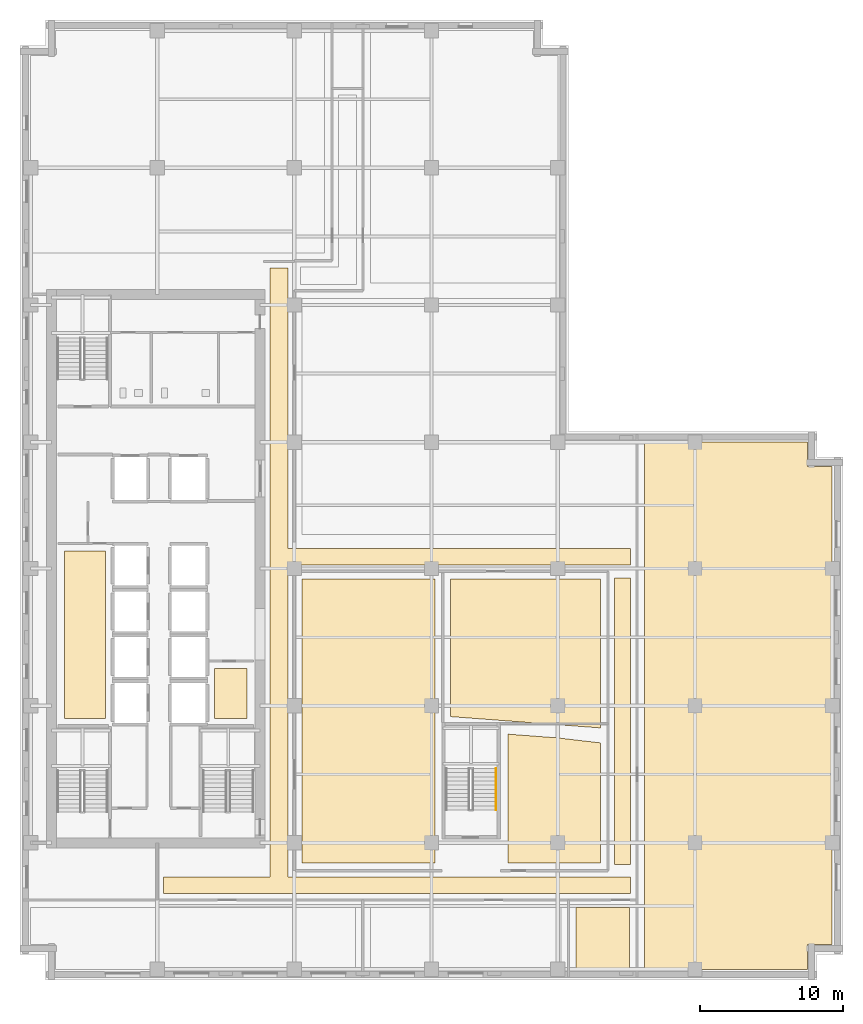
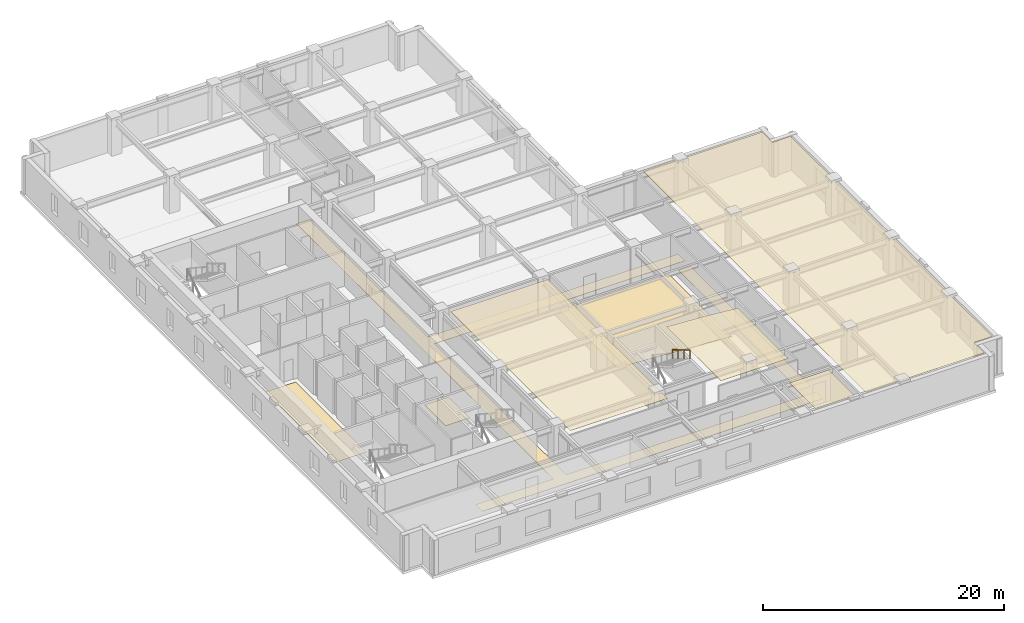
# One storey, part 10 of 13: 9 coverings, 1 railing.
"""IFC4 building model written with IfcOpenShell, lengths in metres."""

import ifcopenshell
import ifcopenshell.guid

model = None  # the IFC model being written
_history = None  # IfcOwnerHistory: only IFC2X3 demands one
_inside = {}  # id of a spatial element -> (the spatial element, [elements in it])
_under = {}  # id of a project, library or spatial element -> (it, [spatial elements below it])
_declared = {}  # id of a project -> (the project, [libraries it declares])
_typed = {}  # id of a type object -> (the type object, [elements of that type])
_made_of = {}  # id of a material, layer set ... -> (it, [elements and type objects made of it])


def new_model(schema):
    """Start an empty IFC model of exactly this schema.

    Asked for "IFC4X3", IfcOpenShell would pick the latest addendum, in which some entities
    have other attributes; the version numbers below select the first issue.
    IFC2X3 requires an IfcOwnerHistory on every rooted entity: one is made here for all.
    """
    global model, _history
    if schema == "IFC4X3":
        model = ifcopenshell.file(schema_version=(4, 3, 0, 0))
    else:
        model = ifcopenshell.file(schema=schema)
    _inside.clear()
    _under.clear()
    _declared.clear()
    _typed.clear()
    _made_of.clear()
    _history = None
    if model.schema == "IFC2X3":
        org = make("IfcOrganization", Name="unknown")
        user = make(
            "IfcPersonAndOrganization",
            ThePerson=make("IfcPerson", FamilyName="unknown"),
            TheOrganization=org,
        )
        app = make(
            "IfcApplication",
            ApplicationDeveloper=org,
            Version="unknown",
            ApplicationFullName="unknown",
            ApplicationIdentifier="unknown",
        )
        _history = make(
            "IfcOwnerHistory",
            OwningUser=user,
            OwningApplication=app,
            ChangeAction="ADDED",
            CreationDate=0,
        )
    return model


def make(cls, **values):
    """One entity of the class cls with the attributes given. An attribute that is None is left unset."""
    return model.create_entity(
        cls, **{name: value for name, value in values.items() if value is not None}
    )


def rooted(cls, **values):
    """An entity with a GlobalId (a new one), such as an element, a storey or a relation."""
    return make(cls, GlobalId=ifcopenshell.guid.new(), OwnerHistory=_history, **values)


def si_unit(unit_type, name, prefix=None):
    """IfcSIUnit, for example si_unit("LENGTHUNIT", "METRE", prefix="MILLI")."""
    return make("IfcSIUnit", UnitType=unit_type, Prefix=prefix, Name=name)


def assignment(units):
    """IfcUnitAssignment: the units of a project."""
    return None if units is None else make("IfcUnitAssignment", Units=units)


def point(xyz):
    """IfcCartesianPoint."""
    return None if xyz is None else make("IfcCartesianPoint", Coordinates=xyz)


def direction(xyz):
    """IfcDirection."""
    return None if xyz is None else make("IfcDirection", DirectionRatios=xyz)


def frame(location, z_axis=None, x_axis=None):
    """IfcAxis2Placement3D, a coordinate frame: its origin and axes. An axis left out is left unset."""
    return make(
        "IfcAxis2Placement3D",
        Location=point(location),
        Axis=direction(z_axis),
        RefDirection=direction(x_axis),
    )


def frame_2d(location, x_axis=None):
    """IfcAxis2Placement2D, a coordinate frame in the plane: its origin and x axis."""
    return make(
        "IfcAxis2Placement2D", Location=point(location), RefDirection=direction(x_axis)
    )


def origin():
    """The frame at (0, 0, 0) with its axes left unset."""
    return frame((0.0, 0.0, 0.0))


def origin_2d():
    """The frame at (0, 0) in the plane with its x axis left unset."""
    return frame_2d((0.0, 0.0))


def place(relative_to, where):
    """IfcLocalPlacement: puts the frame where relative to a parent placement (None: the world)."""
    return make(
        "IfcLocalPlacement", PlacementRelTo=relative_to, RelativePlacement=where
    )


def context(
    kind, dimensions, precision=None, world=None, true_north=None, identifier=None
):
    """IfcGeometricRepresentationContext, for example the 3D "Model" context."""
    return make(
        "IfcGeometricRepresentationContext",
        ContextIdentifier=identifier,
        ContextType=kind,
        CoordinateSpaceDimension=dimensions,
        Precision=precision,
        WorldCoordinateSystem=world,
        TrueNorth=true_north,
    )


def subcontext(parent, identifier, kind, view, scale=None):
    """IfcGeometricRepresentationSubContext, for example "Body" below "Model"."""
    return make(
        "IfcGeometricRepresentationSubContext",
        ContextIdentifier=identifier,
        ContextType=kind,
        ParentContext=parent,
        TargetScale=scale,
        TargetView=view,
    )


def project(units=None, contexts=None):
    """IfcProject with its units and contexts."""
    return rooted(
        "IfcProject",
        Name="project",
        RepresentationContexts=contexts,
        UnitsInContext=assignment(units),
    )


def spatial(cls, under=None, at=None, **own):
    """A site, building, storey or space (cls), placed at a placement, below another one or the project."""
    s = rooted(cls, ObjectPlacement=at, **own)
    if under is not None:
        _under.setdefault(under.id(), (under, []))[1].append(s)
    return s


def polyline(points):
    """IfcPolyline through the points."""
    return make("IfcPolyline", Points=[point(p) for p in points])


def profile(cls, at=None, kind="AREA", **sizes):
    """A parametric profile (cls). Its sizes go by their IFC names, for example OverallWidth=200.0."""
    return make(cls, ProfileType=kind, Position=at, **sizes)


def circle(**sizes):
    """IfcCircleProfileDef."""
    return profile("IfcCircleProfileDef", **sizes)


def outline(outer, holes=None, kind="AREA"):
    """IfcArbitraryClosedProfileDef: a profile drawn as a closed curve; with holes, ...WithVoids."""
    if holes is None:
        return make("IfcArbitraryClosedProfileDef", ProfileType=kind, OuterCurve=outer)
    return make(
        "IfcArbitraryProfileDefWithVoids",
        ProfileType=kind,
        OuterCurve=outer,
        InnerCurves=holes,
    )


def extrude(swept, where, along, depth):
    """IfcExtrudedAreaSolid: the profile swept, set in the frame where, extruded along a direction by depth."""
    return make(
        "IfcExtrudedAreaSolid",
        SweptArea=swept,
        Position=where,
        ExtrudedDirection=direction(along),
        Depth=depth,
    )


def shape(context_of_items, identifier, shape_type, items):
    """IfcShapeRepresentation: the items that make up one representation, for example the "Body"."""
    return make(
        "IfcShapeRepresentation",
        ContextOfItems=context_of_items,
        RepresentationIdentifier=identifier,
        RepresentationType=shape_type,
        Items=items,
    )


def material(Name=None, Category=None):
    """IfcMaterial."""
    return make("IfcMaterial", Name=Name, Category=Category)


def layer(
    of_material, thickness, ventilated=None, Name=None, Category=None, Priority=None
):
    """IfcMaterialLayer: one layer of a wall or slab, of a material (None: an air gap)."""
    return make(
        "IfcMaterialLayer",
        Material=of_material,
        LayerThickness=thickness,
        IsVentilated=ventilated,
        Name=Name,
        Category=Category,
        Priority=Priority,
    )


def layer_set(layers, Name=None):
    """IfcMaterialLayerSet."""
    return make("IfcMaterialLayerSet", MaterialLayers=layers, LayerSetName=Name)


def made_of(thing, what):
    """Note that an element or type object is made of a material, layer set ...; save() writes the relation."""
    if what is not None:
        _made_of.setdefault(what.id(), (what, []))[1].append(thing)
    return thing


def type_object(cls, material=None, **own):
    """A type object (cls), such as IfcWallType, which elements share."""
    return made_of(rooted(cls, **own), material)


def element(
    cls,
    number,
    at=None,
    inside=None,
    cuts=None,
    type_object=None,
    material=None,
    context=None,
    identifier="Body",
    shape_type=None,
    held_by="IfcProductDefinitionShape",
    body=None,
    shapes=None,
    **own,
):
    """One element of the class cls, such as IfcWall. Its Tag is "e" and its number.

    at: its placement. inside: the storey or other place that contains it. cuts: it is an
    opening in that element (IfcRelVoidsElement). A single representation is given by context,
    identifier, shape_type and body (its items); several are given by shapes. held_by: the class
    of the entity that holds the representations. save() writes the other relations.
    """
    e = rooted(cls, Tag="e%d" % number, ObjectPlacement=at, **own)
    if body is not None:
        shapes = [shape(context, identifier, shape_type, body)]
    if shapes is not None:
        e.Representation = make(held_by, Representations=shapes)
    if inside is not None:
        _inside.setdefault(inside.id(), (inside, []))[1].append(e)
    if cuts is not None:
        rooted(
            "IfcRelVoidsElement", RelatingBuildingElement=cuts, RelatedOpeningElement=e
        )
    if type_object is not None:
        _typed.setdefault(type_object.id(), (type_object, []))[1].append(e)
    return made_of(e, material)


def aggregate(whole, parts):
    """IfcRelAggregates: a whole, such as a stair, and the parts it consists of."""
    return rooted("IfcRelAggregates", RelatingObject=whole, RelatedObjects=parts)


def save(model, path):
    """Write the relations noted so far, then the file.

    IfcRelAggregates (storeys below a building ...), IfcRelContainedInSpatialStructure (elements
    in a storey), IfcRelDefinesByType, IfcRelAssociatesMaterial and IfcRelDeclares: one each for
    every whole, place, type object, material and project.
    """
    for whole, parts in _under.values():
        aggregate(whole, parts)
    for where, things in _inside.values():
        rooted(
            "IfcRelContainedInSpatialStructure",
            RelatedElements=things,
            RelatingStructure=where,
        )
    for kind, things in _typed.values():
        rooted("IfcRelDefinesByType", RelatedObjects=things, RelatingType=kind)
    for what, things in _made_of.values():
        rooted("IfcRelAssociatesMaterial", RelatedObjects=things, RelatingMaterial=what)
    for by, libraries in _declared.values():
        rooted("IfcRelDeclares", RelatingContext=by, RelatedDefinitions=libraries)
    model.write(path)


model = new_model("IFC4")

# Units and contexts
model_context = context("Model", 3, precision=1e-05, world=origin(), true_north=direction((0.0, 1.0)))
body_context = subcontext(model_context, "Body", "Model", "MODEL_VIEW")
ifc_project = project(units=[si_unit("LENGTHUNIT", "METRE"), si_unit("AREAUNIT", "SQUARE_METRE"), si_unit("VOLUMEUNIT", "CUBIC_METRE"), si_unit("PLANEANGLEUNIT", "RADIAN"), si_unit("MASSUNIT", "GRAM", prefix="KILO")], contexts=[model_context])

# Site, building, storey
site_placement = place(None, origin())
site = spatial("IfcSite", under=ifc_project, at=site_placement, CompositionType="ELEMENT")
building_placement = place(site_placement, origin())
building = spatial("IfcBuilding", under=site, at=building_placement, Name="Norrvale University Quadrangle", CompositionType="ELEMENT")
storey_placement = place(building_placement, frame((0.0, 0.0, 131.800048828125)))
storey = spatial("IfcBuildingStorey", under=building, at=storey_placement, Name="L33", CompositionType="ELEMENT", Elevation=131.800048828125)

# Coverings
ifc_material_1 = material(Name="Perforated Acoustic Mineral Ceiling")
ifc_layer_1 = layer(ifc_material_1, 0.02490234375, Name="Perforated Acoustic Mineral Ceiling")
ifc_layer_set_1 = layer_set([ifc_layer_1], Name="Perforated Acoustic Mineral Ceiling")
covering_type_1 = type_object("IfcCoveringType", Name="Covering Acoustic Ceiling 25", PredefinedType="CEILING", material=ifc_layer_set_1)
covering_1_placement = place(storey_placement, frame((0.0, 0.0, 3.514892578125)))
element("IfcCovering", 1, at=covering_1_placement, inside=storey, type_object=covering_type_1, Name="Acoustic Ceiling RM-L33-S03", PredefinedType="CEILING", context=body_context, shape_type="SweptSolid", body=[
    extrude(outline(polyline([(38.929931640625, 5.070068359375), (42.669921875, 5.070068359375), (42.669921875, 0.75), (38.929931640625, 0.75), (38.929931640625, 5.070068359375)])), origin(), (0.0, 0.0, 1.0), 0.025146484375),
])
covering_2_placement = place(storey_placement, frame((0.0, 0.0, 3.514892578125)))
element("IfcCovering", 2, at=covering_2_placement, inside=storey, type_object=covering_type_1, Name="Acoustic Ceiling RM-L33-E01", PredefinedType="CEILING", context=body_context, shape_type="SweptSolid", body=[
    extrude(outline(polyline([(43.72998046875, 0.75), (43.72998046875, 37.64990234375), (55.1298828125, 37.64990234375), (55.1298828125, 35.929931640625), (56.85009765625, 35.929931640625), (56.85009765625, 2.469970703125), (55.1298828125, 2.469970703125), (55.1298828125, 0.75), (43.72998046875, 0.75)])), origin(), (0.0, 0.0, 1.0), 0.025146484375),
])
covering_3_placement = place(storey_placement, frame((0.0, 0.0, 3.514892578125)))
element("IfcCovering", 3, at=covering_3_placement, inside=storey, type_object=covering_type_1, Name="Acoustic Ceiling RM-L33-IW1", PredefinedType="CEILING", context=body_context, shape_type="SweptSolid", body=[
    extrude(outline(polyline([(19.72998046875, 8.179931640625), (19.72998046875, 28.070068359375), (29.050048828125, 28.070068359375), (29.050048828125, 8.179931640625), (19.72998046875, 8.179931640625)])), origin(), (0.0, 0.0, 1.0), 0.025146484375),
])
covering_4_placement = place(storey_placement, frame((0.0, 0.0, 3.514892578125)))
element("IfcCovering", 4, at=covering_4_placement, inside=storey, type_object=covering_type_1, Name="Acoustic Ceiling RM-L33-ISE", PredefinedType="CEILING", context=body_context, shape_type="SweptSolid", body=[
    extrude(outline(polyline([(40.6201171875, 16.60009765625), (40.6201171875, 8.179931640625), (34.14990234375, 8.179931640625), (34.14990234375, 17.2109375), (37.62890625, 16.948974609375), (40.6201171875, 16.60009765625)])), origin(), (0.0, 0.0, 1.0), 0.025146484375),
])
ifc_material_2 = material(Name="Polished Terrazzo Flooring")
ifc_layer_2 = layer(ifc_material_2, 0.02490234375, Name="Polished Terrazzo Flooring")
ifc_layer_set_2 = layer_set([ifc_layer_2], Name="Polished Terrazzo Flooring")
covering_type_2 = type_object("IfcCoveringType", Name="Covering Terrazzo Floor 30", PredefinedType="FLOORING", material=ifc_layer_set_2)
covering_5_placement = place(storey_placement, origin())
element("IfcCovering", 5, at=covering_5_placement, inside=storey, type_object=covering_type_2, Name="Terrazzo Flooring RM-L33-JAN", PredefinedType="FLOORING", context=body_context, shape_type="SweptSolid", body=[
    extrude(outline(polyline([(13.60009765625, 18.300048828125), (13.60009765625, 21.800048828125), (15.89990234375, 21.800048828125), (15.89990234375, 18.300048828125), (13.60009765625, 18.300048828125)])), origin(), (0.0, 0.0, 1.0), 0.02490234375),
])
covering_6_placement = place(storey_placement, origin())
element("IfcCovering", 6, at=covering_6_placement, inside=storey, type_object=covering_type_2, Name="Terrazzo Flooring RM-L33-WSTOR", PredefinedType="FLOORING", context=body_context, shape_type="SweptSolid", body=[
    extrude(outline(polyline([(3.10009765625, 18.300048828125), (3.10009765625, 30.030029296875), (6.0, 30.030029296875), (6.0, 18.300048828125), (3.10009765625, 18.300048828125)])), origin(), (0.0, 0.0, 1.0), 0.02490234375),
])
covering_7_placement = place(storey_placement, origin())
element("IfcCovering", 7, at=covering_7_placement, inside=storey, type_object=covering_type_2, Name="Terrazzo Flooring RM-L33-CORR1", PredefinedType="FLOORING", context=body_context, shape_type="SweptSolid", body=[
    extrude(outline(polyline([(10.050048828125, 6.050048828125), (10.050048828125, 7.199951171875), (17.5, 7.199951171875), (17.5, 49.85009765625), (18.75, 49.85009765625), (18.75, 30.199951171875), (42.75, 30.199951171875), (42.75, 29.050048828125), (18.75, 29.050048828125), (18.75, 7.199951171875), (42.75, 7.199951171875), (42.75, 6.050048828125), (10.050048828125, 6.050048828125)])), origin(), (0.0, 0.0, 1.0), 0.02490234375),
])
covering_8_placement = place(storey_placement, origin())
element("IfcCovering", 8, at=covering_8_placement, inside=storey, type_object=covering_type_2, Name="Terrazzo Flooring RM-L33-CORR2", PredefinedType="FLOORING", context=body_context, shape_type="SweptSolid", body=[
    extrude(outline(polyline([(41.60009765625, 8.10009765625), (41.60009765625, 28.14990234375), (42.75, 28.14990234375), (42.75, 8.10009765625), (41.60009765625, 8.10009765625)])), origin(), (0.0, 0.0, 1.0), 0.02490234375),
])
covering_9_placement = place(storey_placement, origin())
element("IfcCovering", 9, at=covering_9_placement, inside=storey, type_object=covering_type_2, Name="Terrazzo Flooring RM-L33-ILH", PredefinedType="FLOORING", context=body_context, shape_type="SweptSolid", body=[
    extrude(outline(polyline([(30.1298828125, 18.43701171875), (30.1298828125, 28.070068359375), (40.6201171875, 28.070068359375), (40.6201171875, 17.64501953125), (30.1298828125, 18.43701171875)])), origin(), (0.0, 0.0, 1.0), 0.02490234375),
])

# Railing
ifc_material_3 = material(Name="Stainless Steel 316L Handrail", Category="steel")
railing_type = type_object("IfcRailingType", Name="Railing Stair Handrail 920", PredefinedType="HANDRAIL", material=ifc_material_3)
railing_placement = place(storey_placement, frame((33.31005859375, 14.800048828125, 2.07275390625)))
element("IfcRailing", 10, at=railing_placement, inside=storey, type_object=railing_type, Name="Stair Upper Flight Handrail ST-04 L33", PredefinedType="HANDRAIL", context=body_context, shape_type="SweptSolid", body=[
    extrude(circle(Radius=0.02392578125, at=origin_2d()), frame((0.0, 0.0, 0.89599609375), z_axis=(0.0, -0.859160404282, 0.51170636083), x_axis=(1.0, 0.0, 0.0)), (0.0, 0.0, 1.0), 3.37548828125),
    extrude(circle(Radius=0.02099609375, at=origin_2d()), origin(), (0.0, 0.0, 1.0), 0.871826171875),
    extrude(circle(Radius=0.02099609375, at=origin_2d()), frame((0.0, -0.966796875, 0.57568359375)), (0.0, 0.0, 1.0), 0.871826171875),
    extrude(circle(Radius=0.02099609375, at=origin_2d()), frame((0.0, -1.933349609375, 1.151611328125)), (0.0, 0.0, 1.0), 0.871826171875),
    extrude(circle(Radius=0.02099609375, at=origin_2d()), frame((0.0, -2.900146484375, 1.727294921875)), (0.0, 0.0, 1.0), 0.871826171875),
])

save(model, "model.ifc")
